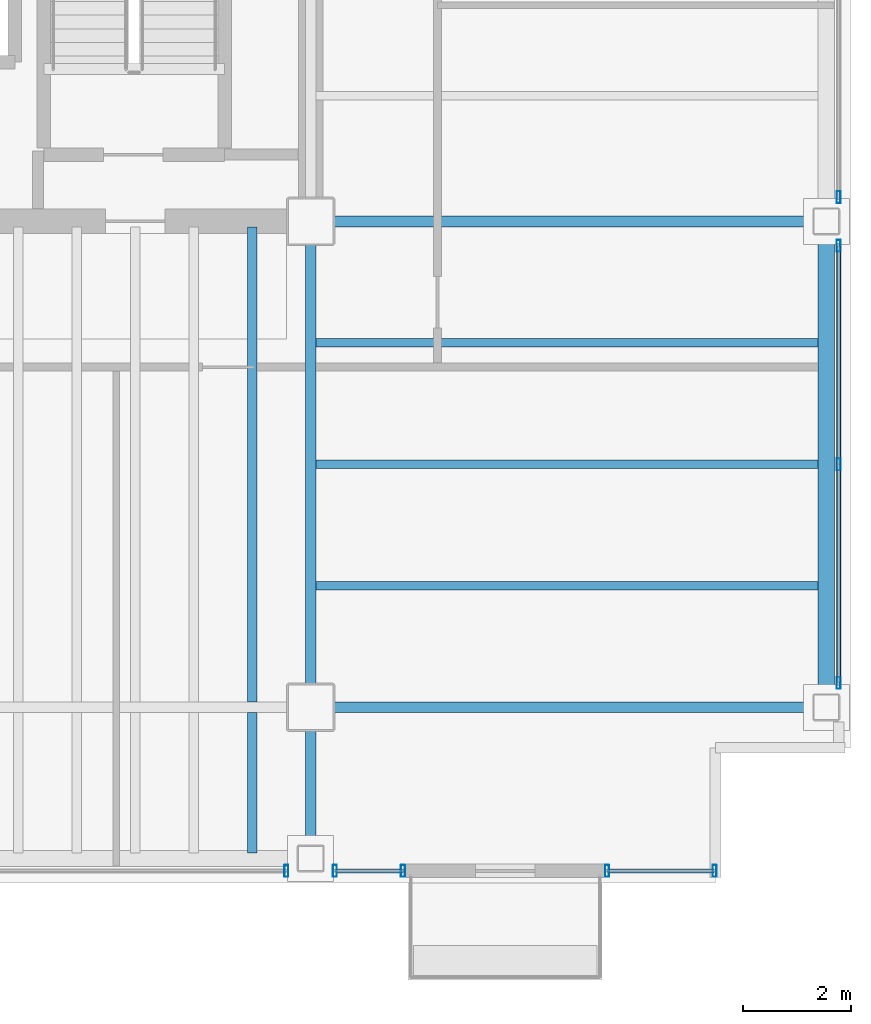
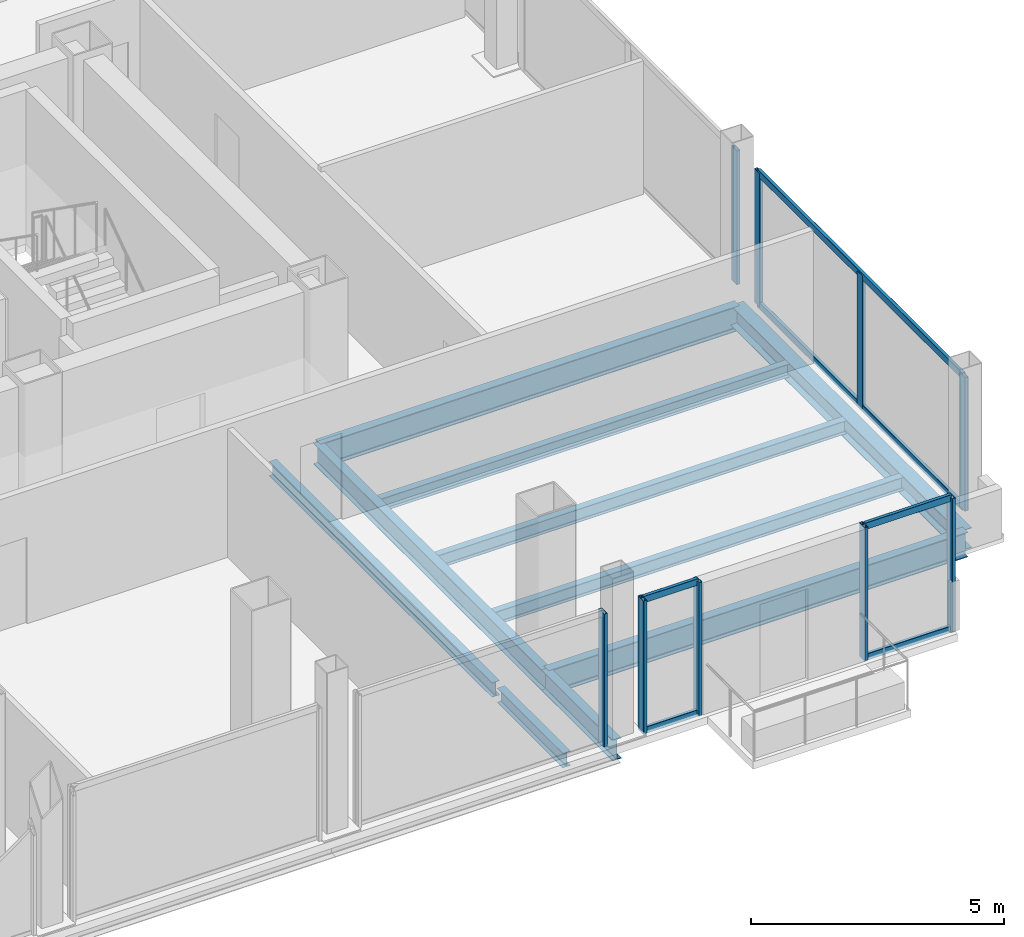
# One storey, part 10 of 16: 15 members, 10 beams, 5 elements without a shape of their own.
"""IFC4 building model written with IfcOpenShell, lengths in metres."""

from ifc_helpers import new_model, si_unit, direction, frame, origin, origin_2d, place, context, subcontext, project, spatial, hollow_rectangle, i_section, extrude, material, material_profile, profile_set, type_object, element, aggregate, save


model = new_model("IFC4")

# Units and contexts
model_context = context("Model", 3, precision=1e-05, world=origin(), true_north=direction((0.0, 1.0)))
body_context = subcontext(model_context, "Body", "Model", "MODEL_VIEW")
ifc_project = project(units=[si_unit("LENGTHUNIT", "METRE"), si_unit("AREAUNIT", "SQUARE_METRE"), si_unit("VOLUMEUNIT", "CUBIC_METRE"), si_unit("PLANEANGLEUNIT", "RADIAN"), si_unit("MASSUNIT", "GRAM", prefix="KILO")], contexts=[model_context])

# Site, building, storey
site_placement = place(None, origin())
site = spatial("IfcSite", under=ifc_project, at=site_placement, CompositionType="ELEMENT")
building_placement = place(site_placement, origin())
building = spatial("IfcBuilding", under=site, at=building_placement, Name="Noeulbin Bourse Tower", CompositionType="ELEMENT")
storey_placement = place(building_placement, frame((0.0, 0.0, 185.10009765625)))
storey = spatial("IfcBuildingStorey", under=building, at=storey_placement, Name="L46", CompositionType="ELEMENT", Elevation=185.10009765625)

# Beams
ifc_material_1 = material(Name="Steel S355", Category="steel")
ifc_material_profile_1 = material_profile(ifc_material_1, i_section(OverallWidth=0.199951171875, OverallDepth=0.5, WebThickness=0.010009765625, FlangeThickness=0.01611328125, FilletRadius=0.02001953125, at=origin_2d()), Name="H-500x200x10x16", Category="LoadBearing")
ifc_profile_set_1 = profile_set([ifc_material_profile_1], Name="Steel S355")
beam_type_1 = type_object("IfcBeamType", Name="BM-GRD-500", PredefinedType="USERDEFINED", material=ifc_profile_set_1)
beam_1_placement = place(storey_placement, frame((44.0, 17.199951171875, -0.43017578125), z_axis=(0.0, 1.0, 0.0), x_axis=(-1.0, 0.0, 0.0)))
element("IfcBeam", 1, at=beam_1_placement, inside=storey, type_object=beam_type_1, Name="Tower Primary Girder NS L46-5.1", ObjectType="GIRDER", PredefinedType="USERDEFINED", context=body_context, shape_type="SweptSolid", body=[
    extrude(i_section(OverallWidth=0.199951171875, OverallDepth=0.5, WebThickness=0.010009765625, FlangeThickness=0.01611328125, FilletRadius=0.02001953125, at=origin_2d()), origin(), (0.0, 0.0, 1.0), 2.800048828125),
])
beam_2_placement = place(storey_placement, frame((44.0, 20.0, -0.43017578125), z_axis=(0.0, 1.0, 0.0), x_axis=(-1.0, 0.0, 0.0)))
element("IfcBeam", 2, at=beam_2_placement, inside=storey, type_object=beam_type_1, Name="Tower Primary Girder NS L46-5.2", ObjectType="GIRDER", PredefinedType="USERDEFINED", context=body_context, shape_type="SweptSolid", body=[
    extrude(i_section(OverallWidth=0.199951171875, OverallDepth=0.5, WebThickness=0.010009765625, FlangeThickness=0.01611328125, FilletRadius=0.02001953125, at=origin_2d()), origin(), (0.0, 0.0, 1.0), 9.0),
])
ifc_material_profile_2 = material_profile(ifc_material_1, i_section(OverallWidth=0.199951171875, OverallDepth=0.60009765625, WebThickness=0.010986328125, FlangeThickness=0.01708984375, FilletRadius=0.02197265625, at=origin_2d()), Name="H-600x200x11x17", Category="LoadBearing")
ifc_profile_set_2 = profile_set([ifc_material_profile_2], Name="Steel S355")
beam_type_2 = type_object("IfcBeamType", Name="BM-GRD-600", PredefinedType="USERDEFINED", material=ifc_profile_set_2)
for number, where, z_axis, x_axis, name in (
    (3, (44.0, 20.0, -0.47998046875), (1.0, 0.0, 0.0), (0.0, 1.0, 0.0), "Tower Primary Girder EW L46-1.6"),
    (4, (44.0, 29.0, -0.47998046875), (1.0, 0.0, 0.0), (0.0, 1.0, 0.0), "Tower Primary Girder EW L46-2.6"),
):
    element("IfcBeam", number, at=place(storey_placement, frame(where, z_axis=z_axis, x_axis=x_axis)), inside=storey, type_object=beam_type_2, Name=name, ObjectType="GIRDER", PredefinedType="USERDEFINED", context=body_context, shape_type="SweptSolid", body=[
        extrude(i_section(OverallWidth=0.199951171875, OverallDepth=0.60009765625, WebThickness=0.010986328125, FlangeThickness=0.01708984375, FilletRadius=0.02197265625, at=origin_2d()), origin(), (0.0, 0.0, 1.0), 9.550048828125),
    ])
ifc_material_profile_3 = material_profile(ifc_material_1, i_section(OverallWidth=0.159912109375, OverallDepth=0.320068359375, WebThickness=0.006591796875, FlangeThickness=0.010009765625, FilletRadius=0.012939453125, at=origin_2d()), Name="H-320x160x6.5x10", Category="LoadBearing")
ifc_profile_set_3 = profile_set([ifc_material_profile_3], Name="Steel S355")
beam_type_3 = type_object("IfcBeamType", Name="BM-JST-320", PredefinedType="JOIST", material=ifc_profile_set_3)
for number, where, z_axis, x_axis, name in (
    (5, (44.10009765625, 22.25, -0.340087890625), (1.0, 0.0, 0.0), (0.0, 1.0, 0.0), "Wing Composite Joist L46-E73"),
    (6, (44.10009765625, 24.5, -0.340087890625), (1.0, 0.0, 0.0), (0.0, 1.0, 0.0), "Wing Composite Joist L46-E74"),
    (7, (44.10009765625, 26.75, -0.340087890625), (1.0, 0.0, 0.0), (0.0, 1.0, 0.0), "Wing Composite Joist L46-E75"),
):
    element("IfcBeam", number, at=place(storey_placement, frame(where, z_axis=z_axis, x_axis=x_axis)), inside=storey, type_object=beam_type_3, Name=name, PredefinedType="JOIST", context=body_context, shape_type="SweptSolid", body=[
        extrude(i_section(OverallWidth=0.159912109375, OverallDepth=0.320068359375, WebThickness=0.006591796875, FlangeThickness=0.010009765625, FilletRadius=0.012939453125, at=origin_2d()), origin(), (0.0, 0.0, 1.0), 9.2998046875),
    ])
ifc_material_profile_4 = material_profile(ifc_material_1, i_section(OverallWidth=0.175048828125, OverallDepth=0.35009765625, WebThickness=0.007080078125, FlangeThickness=0.010986328125, FilletRadius=0.013916015625, at=origin_2d()), Name="H-350x175x7x11", Category="LoadBearing")
ifc_profile_set_4 = profile_set([ifc_material_profile_4], Name="Steel S355")
beam_type_4 = type_object("IfcBeamType", Name="BM-JST-350", PredefinedType="JOIST", material=ifc_profile_set_4)
beam_3_placement = place(storey_placement, frame((42.916748046875, 17.300048828125, -0.35498046875), z_axis=(0.0, 1.0, 0.0), x_axis=(-1.0, 0.0, 0.0)))
element("IfcBeam", 8, at=beam_3_placement, inside=storey, type_object=beam_type_4, Name="Tower Composite Joist L46-64", PredefinedType="JOIST", context=body_context, shape_type="SweptSolid", body=[
    extrude(i_section(OverallWidth=0.175048828125, OverallDepth=0.35009765625, WebThickness=0.007080078125, FlangeThickness=0.010986328125, FilletRadius=0.013916015625, at=origin_2d()), origin(), (0.0, 0.0, 1.0), 2.599853515625),
])
beam_4_placement = place(storey_placement, frame((42.916748046875, 20.10009765625, -0.35498046875), z_axis=(0.0, 1.0, 0.0), x_axis=(-1.0, 0.0, 0.0)))
element("IfcBeam", 9, at=beam_4_placement, inside=storey, type_object=beam_type_4, Name="Tower Composite Joist L46-65", PredefinedType="JOIST", context=body_context, shape_type="SweptSolid", body=[
    extrude(i_section(OverallWidth=0.175048828125, OverallDepth=0.35009765625, WebThickness=0.007080078125, FlangeThickness=0.010986328125, FilletRadius=0.013916015625, at=origin_2d()), origin(), (0.0, 0.0, 1.0), 8.7998046875),
])
ifc_material_profile_5 = material_profile(ifc_material_1, i_section(OverallWidth=0.300048828125, OverallDepth=0.488037109375, WebThickness=0.010986328125, FlangeThickness=0.01806640625, FilletRadius=0.02197265625, at=origin_2d()), Name="H-488x300x11x18", Category="LoadBearing")
ifc_profile_set_5 = profile_set([ifc_material_profile_5], Name="Steel S355")
beam_type_5 = type_object("IfcBeamType", Name="BM-SPN-488", PredefinedType="SPANDREL", material=ifc_profile_set_5)
beam_5_placement = place(storey_placement, frame((53.550048828125, 20.0, -0.424072265625), z_axis=(0.0, 1.0, 0.0), x_axis=(-1.0, 0.0, 0.0)))
element("IfcBeam", 10, at=beam_5_placement, inside=storey, type_object=beam_type_5, Name="East Spandrel L46-1", PredefinedType="SPANDREL", context=body_context, shape_type="SweptSolid", body=[
    extrude(i_section(OverallWidth=0.300048828125, OverallDepth=0.488037109375, WebThickness=0.010986328125, FlangeThickness=0.01806640625, FilletRadius=0.02197265625, at=origin_2d()), origin(), (0.0, 0.0, 1.0), 9.0),
])

# Curtain wall, member
ifc_material_2 = material(Name="Dark Tinted Triple Glazing", Category="glass")
curtain_wall_type = type_object("IfcCurtainWallType", Name="CW-SYS-3", PredefinedType="NOTDEFINED", material=ifc_material_2)
curtain_wall_1_placement = place(storey_placement, origin())
curtain_wall_1 = element("IfcCurtainWall", 11, at=curtain_wall_1_placement, inside=storey, type_object=curtain_wall_type, Name="Unitised Curtain Wall CW-L46-S2-S3", PredefinedType="NOTDEFINED")
ifc_material_3 = material(Name="Anodised Aluminium 6063-T6", Category="aluminium")
ifc_material_profile_6 = material_profile(ifc_material_3, hollow_rectangle(XDim=0.074951171875, YDim=0.219970703125, WallThickness=0.0048828125, InnerFilletRadius=0.00244140625, OuterFilletRadius=0.0048828125, at=origin_2d()), Name="ALU-MULL-75x220x5", Category="LoadBearing")
ifc_profile_set_6 = profile_set([ifc_material_profile_6], Name="Anodised Aluminium 6063-T6")
member_type_1 = type_object("IfcMemberType", Name="CW-SYS-3-MUL", PredefinedType="MULLION", material=ifc_profile_set_6)
member_1_placement = place(storey_placement, frame((43.550048828125, 16.969970703125, -0.02001953125), z_axis=(0.0, 0.0, 1.0), x_axis=(1.0, 0.0, 0.0)))
member_1 = element("IfcMember", 12, at=member_1_placement, type_object=member_type_1, Name="Curtain Wall Mullion CW-L46-S2-S3-M01", PredefinedType="MULLION", context=body_context, shape_type="SweptSolid", body=[
    extrude(hollow_rectangle(XDim=0.074951171875, YDim=0.219970703125, WallThickness=0.0048828125, InnerFilletRadius=0.00244140625, OuterFilletRadius=0.0048828125, at=origin_2d()), origin(), (0.0, 0.0, 1.0), 3.219970703125),
])
aggregate(curtain_wall_1, [member_1])

# Curtain wall, members
curtain_wall_2_placement = place(storey_placement, origin())
curtain_wall_2 = element("IfcCurtainWall", 13, at=curtain_wall_2_placement, inside=storey, type_object=curtain_wall_type, Name="Unitised Curtain Wall CW-L46-S2-S4", PredefinedType="NOTDEFINED")
member_2_placement = place(storey_placement, frame((44.449951171875, 16.969970703125, -0.02001953125), z_axis=(0.0, 0.0, 1.0), x_axis=(1.0, 0.0, 0.0)))
member_2 = element("IfcMember", 14, at=member_2_placement, type_object=member_type_1, Name="Curtain Wall Mullion CW-L46-S2-S4-M00", PredefinedType="MULLION", context=body_context, shape_type="SweptSolid", body=[
    extrude(hollow_rectangle(XDim=0.074951171875, YDim=0.219970703125, WallThickness=0.0048828125, InnerFilletRadius=0.00244140625, OuterFilletRadius=0.0048828125, at=origin_2d()), origin(), (0.0, 0.0, 1.0), 3.219970703125),
])
member_3_placement = place(storey_placement, frame((45.7099609375, 16.969970703125, -0.02001953125), z_axis=(0.0, 0.0, 1.0), x_axis=(1.0, 0.0, 0.0)))
member_3 = element("IfcMember", 15, at=member_3_placement, type_object=member_type_1, Name="Curtain Wall Mullion CW-L46-S2-S4-M01", PredefinedType="MULLION", context=body_context, shape_type="SweptSolid", body=[
    extrude(hollow_rectangle(XDim=0.074951171875, YDim=0.219970703125, WallThickness=0.0048828125, InnerFilletRadius=0.00244140625, OuterFilletRadius=0.0048828125, at=origin_2d()), origin(), (0.0, 0.0, 1.0), 3.219970703125),
])

curtain_wall_3_placement = place(storey_placement, origin())
curtain_wall_3 = element("IfcCurtainWall", 16, at=curtain_wall_3_placement, inside=storey, type_object=curtain_wall_type, Name="Unitised Curtain Wall CW-L46-S3", PredefinedType="NOTDEFINED")
member_4_placement = place(storey_placement, frame((49.489990234375, 16.969970703125, -0.02001953125), z_axis=(0.0, 0.0, 1.0), x_axis=(1.0, 0.0, 0.0)))
member_4 = element("IfcMember", 17, at=member_4_placement, type_object=member_type_1, Name="Curtain Wall Mullion CW-L46-S3-M00", PredefinedType="MULLION", context=body_context, shape_type="SweptSolid", body=[
    extrude(hollow_rectangle(XDim=0.074951171875, YDim=0.219970703125, WallThickness=0.0048828125, InnerFilletRadius=0.00244140625, OuterFilletRadius=0.0048828125, at=origin_2d()), origin(), (0.0, 0.0, 1.0), 3.219970703125),
])
member_5_placement = place(storey_placement, frame((51.47998046875, 16.969970703125, -0.02001953125), z_axis=(0.0, 0.0, 1.0), x_axis=(1.0, 0.0, 0.0)))
member_5 = element("IfcMember", 18, at=member_5_placement, type_object=member_type_1, Name="Curtain Wall Mullion CW-L46-S3-M01", PredefinedType="MULLION", context=body_context, shape_type="SweptSolid", body=[
    extrude(hollow_rectangle(XDim=0.074951171875, YDim=0.219970703125, WallThickness=0.0048828125, InnerFilletRadius=0.00244140625, OuterFilletRadius=0.0048828125, at=origin_2d()), origin(), (0.0, 0.0, 1.0), 3.219970703125),
])

curtain_wall_4_placement = place(storey_placement, origin())
curtain_wall_4 = element("IfcCurtainWall", 19, at=curtain_wall_4_placement, inside=storey, type_object=curtain_wall_type, Name="Unitised Curtain Wall CW-L46-E-S1", PredefinedType="NOTDEFINED")
member_6_placement = place(storey_placement, frame((53.780029296875, 20.449951171875, -0.02001953125), z_axis=(0.0, 0.0, 1.0), x_axis=(1.0, 0.0, 0.0)))
member_6 = element("IfcMember", 20, at=member_6_placement, type_object=member_type_1, Name="Curtain Wall Mullion CW-L46-E-S1-M00", PredefinedType="MULLION", context=body_context, shape_type="SweptSolid", body=[
    extrude(hollow_rectangle(XDim=0.074951171875, YDim=0.219970703125, WallThickness=0.0048828125, InnerFilletRadius=0.00244140625, OuterFilletRadius=0.0048828125, at=origin_2d()), origin(), (0.0, 0.0, 1.0), 3.219970703125),
])
member_7_placement = place(storey_placement, frame((53.780029296875, 24.5, -0.02001953125), z_axis=(0.0, 0.0, 1.0), x_axis=(1.0, 0.0, 0.0)))
member_7 = element("IfcMember", 21, at=member_7_placement, type_object=member_type_1, Name="Curtain Wall Mullion CW-L46-E-S1-M01", PredefinedType="MULLION", context=body_context, shape_type="SweptSolid", body=[
    extrude(hollow_rectangle(XDim=0.074951171875, YDim=0.219970703125, WallThickness=0.0048828125, InnerFilletRadius=0.00244140625, OuterFilletRadius=0.0048828125, at=origin_2d()), origin(), (0.0, 0.0, 1.0), 3.219970703125),
])
member_8_placement = place(storey_placement, frame((53.780029296875, 28.550048828125, -0.02001953125), z_axis=(0.0, 0.0, 1.0), x_axis=(1.0, 0.0, 0.0)))
member_8 = element("IfcMember", 22, at=member_8_placement, type_object=member_type_1, Name="Curtain Wall Mullion CW-L46-E-S1-M02", PredefinedType="MULLION", context=body_context, shape_type="SweptSolid", body=[
    extrude(hollow_rectangle(XDim=0.074951171875, YDim=0.219970703125, WallThickness=0.0048828125, InnerFilletRadius=0.00244140625, OuterFilletRadius=0.0048828125, at=origin_2d()), origin(), (0.0, 0.0, 1.0), 3.219970703125),
])

# Curtain wall, member
curtain_wall_5_placement = place(storey_placement, origin())
curtain_wall_5 = element("IfcCurtainWall", 23, at=curtain_wall_5_placement, inside=storey, type_object=curtain_wall_type, Name="Unitised Curtain Wall CW-L46-E-S2", PredefinedType="NOTDEFINED")
member_9_placement = place(storey_placement, frame((53.780029296875, 29.449951171875, -0.02001953125), z_axis=(0.0, 0.0, 1.0), x_axis=(1.0, 0.0, 0.0)))
member_9 = element("IfcMember", 24, at=member_9_placement, type_object=member_type_1, Name="Curtain Wall Mullion CW-L46-E-S2-M00", PredefinedType="MULLION", context=body_context, shape_type="SweptSolid", body=[
    extrude(hollow_rectangle(XDim=0.074951171875, YDim=0.219970703125, WallThickness=0.0048828125, InnerFilletRadius=0.00244140625, OuterFilletRadius=0.0048828125, at=origin_2d()), origin(), (0.0, 0.0, 1.0), 3.219970703125),
])
aggregate(curtain_wall_5, [member_9])

# Member
ifc_material_profile_7 = material_profile(ifc_material_3, hollow_rectangle(XDim=0.074951171875, YDim=0.159912109375, WallThickness=0.0048828125, InnerFilletRadius=0.00244140625, OuterFilletRadius=0.0048828125, at=origin_2d()), Name="ALU-TRAN-75x160x5", Category="LoadBearing")
ifc_profile_set_7 = profile_set([ifc_material_profile_7], Name="Anodised Aluminium 6063-T6")
member_type_2 = type_object("IfcMemberType", Name="CW-SYS-3-TRN", PredefinedType="USERDEFINED", material=ifc_profile_set_7)
member_10_placement = place(storey_placement, frame((44.4599609375, 16.969970703125, 0.010009765625), z_axis=(1.0, 0.0, 0.0), x_axis=(0.0, 1.0, 0.0)))
member_10 = element("IfcMember", 25, at=member_10_placement, type_object=member_type_2, Name="Curtain Wall Transom CW-L46-S2-S4-T00", ObjectType="TRANSOM", PredefinedType="USERDEFINED", context=body_context, shape_type="SweptSolid", body=[
    extrude(hollow_rectangle(XDim=0.074951171875, YDim=0.159912109375, WallThickness=0.0048828125, InnerFilletRadius=0.00244140625, OuterFilletRadius=0.0048828125, at=origin_2d()), origin(), (0.0, 0.0, 1.0), 1.239990234375),
])

member_11_placement = place(storey_placement, frame((44.4599609375, 16.969970703125, 3.169921875), z_axis=(1.0, 0.0, 0.0), x_axis=(0.0, 1.0, 0.0)))
member_11 = element("IfcMember", 26, at=member_11_placement, type_object=member_type_2, Name="Curtain Wall Transom CW-L46-S2-S4-T01", ObjectType="TRANSOM", PredefinedType="USERDEFINED", context=body_context, shape_type="SweptSolid", body=[
    extrude(hollow_rectangle(XDim=0.074951171875, YDim=0.159912109375, WallThickness=0.0048828125, InnerFilletRadius=0.00244140625, OuterFilletRadius=0.0048828125, at=origin_2d()), origin(), (0.0, 0.0, 1.0), 1.239990234375),
])

aggregate(curtain_wall_2, [member_2, member_3, member_10, member_11])

member_12_placement = place(storey_placement, frame((49.5, 16.969970703125, 0.010009765625), z_axis=(1.0, 0.0, 0.0), x_axis=(0.0, 1.0, 0.0)))
member_12 = element("IfcMember", 27, at=member_12_placement, type_object=member_type_2, Name="Curtain Wall Transom CW-L46-S3-T00", ObjectType="TRANSOM", PredefinedType="USERDEFINED", context=body_context, shape_type="SweptSolid", body=[
    extrude(hollow_rectangle(XDim=0.074951171875, YDim=0.159912109375, WallThickness=0.0048828125, InnerFilletRadius=0.00244140625, OuterFilletRadius=0.0048828125, at=origin_2d()), origin(), (0.0, 0.0, 1.0), 1.969970703125),
])

member_13_placement = place(storey_placement, frame((49.5, 16.969970703125, 3.169921875), z_axis=(1.0, 0.0, 0.0), x_axis=(0.0, 1.0, 0.0)))
member_13 = element("IfcMember", 28, at=member_13_placement, type_object=member_type_2, Name="Curtain Wall Transom CW-L46-S3-T01", ObjectType="TRANSOM", PredefinedType="USERDEFINED", context=body_context, shape_type="SweptSolid", body=[
    extrude(hollow_rectangle(XDim=0.074951171875, YDim=0.159912109375, WallThickness=0.0048828125, InnerFilletRadius=0.00244140625, OuterFilletRadius=0.0048828125, at=origin_2d()), origin(), (0.0, 0.0, 1.0), 1.969970703125),
])

aggregate(curtain_wall_3, [member_4, member_5, member_12, member_13])

member_14_placement = place(storey_placement, frame((53.780029296875, 20.4599609375, 0.010009765625), z_axis=(0.0, 1.0, 0.0), x_axis=(-1.0, 0.0, 0.0)))
member_14 = element("IfcMember", 29, at=member_14_placement, type_object=member_type_2, Name="Curtain Wall Transom CW-L46-E-S1-T00", ObjectType="TRANSOM", PredefinedType="USERDEFINED", context=body_context, shape_type="SweptSolid", body=[
    extrude(hollow_rectangle(XDim=0.074951171875, YDim=0.159912109375, WallThickness=0.0048828125, InnerFilletRadius=0.00244140625, OuterFilletRadius=0.0048828125, at=origin_2d()), origin(), (0.0, 0.0, 1.0), 8.080078125),
])

member_15_placement = place(storey_placement, frame((53.780029296875, 20.4599609375, 3.169921875), z_axis=(0.0, 1.0, 0.0), x_axis=(-1.0, 0.0, 0.0)))
member_15 = element("IfcMember", 30, at=member_15_placement, type_object=member_type_2, Name="Curtain Wall Transom CW-L46-E-S1-T01", ObjectType="TRANSOM", PredefinedType="USERDEFINED", context=body_context, shape_type="SweptSolid", body=[
    extrude(hollow_rectangle(XDim=0.074951171875, YDim=0.159912109375, WallThickness=0.0048828125, InnerFilletRadius=0.00244140625, OuterFilletRadius=0.0048828125, at=origin_2d()), origin(), (0.0, 0.0, 1.0), 8.080078125),
])

aggregate(curtain_wall_4, [member_6, member_7, member_8, member_14, member_15])

save(model, "model.ifc")
